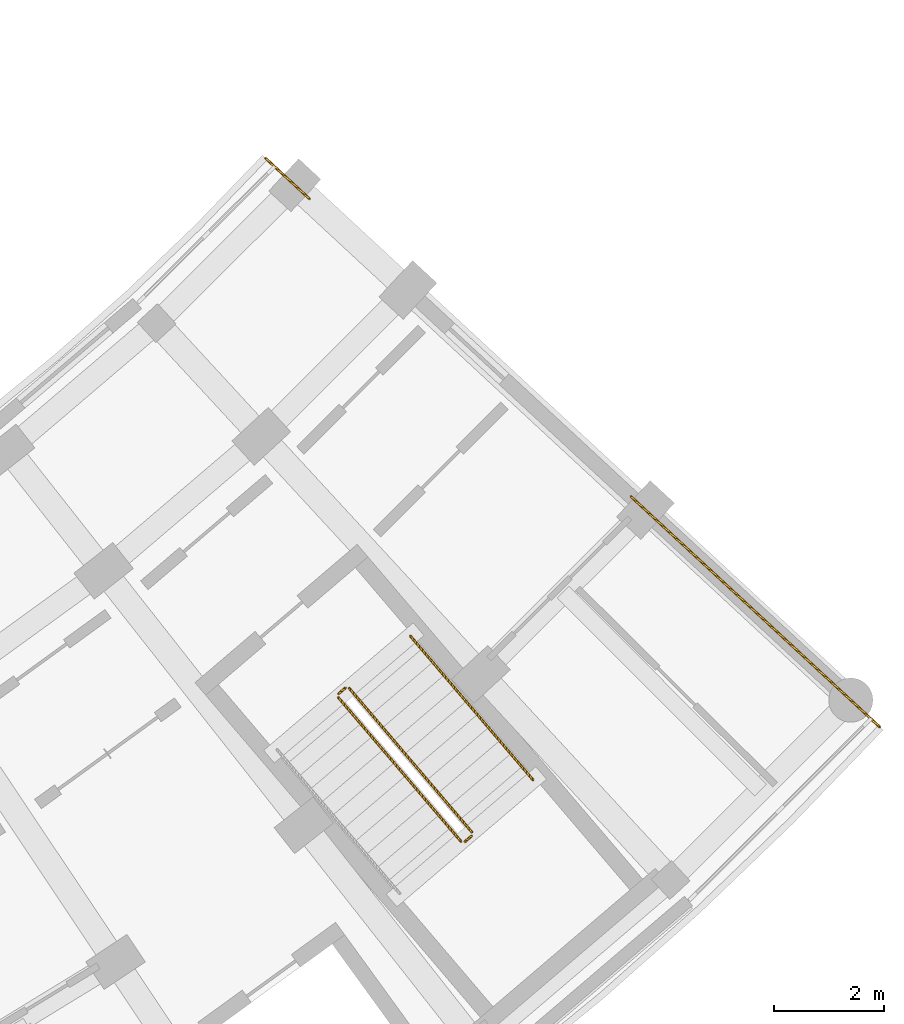
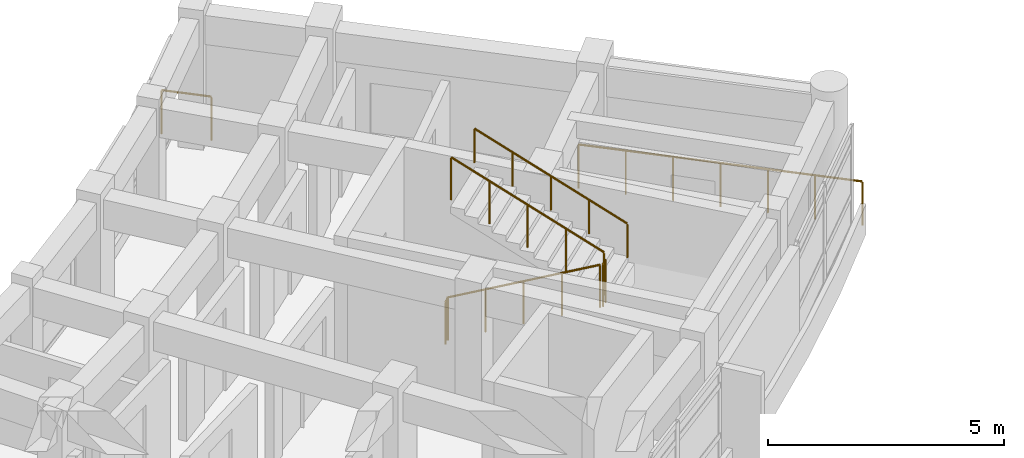
# One storey, part 83 of 83: 7 railings.
"""IFC4 building model written with IfcOpenShell, lengths in metres."""

from ifc_helpers import new_model, si_unit, direction, frame, origin, origin_2d, place, context, subcontext, project, spatial, circle, extrude, material, type_object, element, save


model = new_model("IFC4")

# Units and contexts
model_context = context("Model", 3, precision=1e-05, world=origin(), true_north=direction((0.0, 1.0)))
body_context = subcontext(model_context, "Body", "Model", "MODEL_VIEW")
ifc_project = project(units=[si_unit("LENGTHUNIT", "METRE"), si_unit("AREAUNIT", "SQUARE_METRE"), si_unit("VOLUMEUNIT", "CUBIC_METRE"), si_unit("PLANEANGLEUNIT", "RADIAN"), si_unit("MASSUNIT", "GRAM", prefix="KILO")], contexts=[model_context])

# Site, building, storey
site_placement = place(None, origin())
site = spatial("IfcSite", under=ifc_project, at=site_placement, CompositionType="ELEMENT")
building_placement = place(site_placement, origin())
building = spatial("IfcBuilding", under=site, at=building_placement, Name="Zimvara Arc Housing Community", CompositionType="ELEMENT")
storey_placement = place(building_placement, frame((0.0, 0.0, 4.5)))
storey = spatial("IfcBuildingStorey", under=building, at=storey_placement, Name="L01", CompositionType="ELEMENT", Elevation=4.5)

# Railings
ifc_material_1 = material(Name="Anodised Aluminium AW-6063", Category="aluminium")
railing_type_1 = type_object("IfcRailingType", Name="RLG-BAL-1120", PredefinedType="BALUSTRADE", material=ifc_material_1)
railing_1_placement = place(storey_placement, frame((159.87744140625, 69.900634765625, 0.14990234375)))
element("IfcRailing", 1, at=railing_1_placement, inside=storey, type_object=railing_type_1, Name="L01 ST-D2 stair guard 1", PredefinedType="BALUSTRADE", context=body_context, shape_type="SweptSolid", body=[
    extrude(circle(Radius=0.02392578125, at=origin_2d()), frame((0.0, 0.0, 1.09619140625), z_axis=(0.584706343608, -0.685811815523, 0.433336642154), x_axis=(0.760971332104, 0.648785505168, 0.0)), (0.0, 0.0, 1.0), 3.80810546875),
    extrude(circle(Radius=0.02099609375, at=origin_2d()), origin(), (0.0, 0.0, 1.0), 1.072021484375),
    extrude(circle(Radius=0.02099609375, at=origin_2d()), frame((0.556640625, -0.65283203125, 0.41259765625)), (0.0, 0.0, 1.0), 1.072021484375),
    extrude(circle(Radius=0.02099609375, at=origin_2d()), frame((1.11328125, -1.3056640625, 0.8251953125)), (0.0, 0.0, 1.0), 1.072021484375),
    extrude(circle(Radius=0.02099609375, at=origin_2d()), frame((1.669921875, -1.958740234375, 1.237548828125)), (0.0, 0.0, 1.0), 1.072021484375),
    extrude(circle(Radius=0.02099609375, at=origin_2d()), frame((2.2265625, -2.611572265625, 1.650146484375)), (0.0, 0.0, 1.0), 1.072021484375),
])
railing_2_placement = place(storey_placement, frame((162.174560546875, 67.283447265625, 1.800048828125)))
element("IfcRailing", 2, at=railing_2_placement, inside=storey, type_object=railing_type_1, Name="L01 ST-D2 stair guard 2", PredefinedType="BALUSTRADE", context=body_context, shape_type="SweptSolid", body=[
    extrude(circle(Radius=0.02392578125, at=origin_2d()), frame((0.0, 0.0, 1.09619140625), z_axis=(0.760656476318, 0.649154623364, 0.0), x_axis=(-0.649154623364, 0.760656476318, 0.0)), (0.0, 0.0, 1.0), 0.159912109375),
    extrude(circle(Radius=0.02099609375, at=origin_2d()), origin(), (0.0, 0.0, 1.0), 1.072021484375),
    extrude(circle(Radius=0.02099609375, at=origin_2d()), frame((0.12158203125, 0.103759765625, 0.0)), (0.0, 0.0, 1.0), 1.072021484375),
])
railing_3_placement = place(storey_placement, frame((162.3017578125, 67.457763671875, 1.949951171875)))
element("IfcRailing", 3, at=railing_3_placement, inside=storey, type_object=railing_type_1, Name="L01 ST-D2 stair guard 3", PredefinedType="BALUSTRADE", context=body_context, shape_type="SweptSolid", body=[
    extrude(circle(Radius=0.02392578125, at=origin_2d()), frame((0.0, 0.0, 1.09619140625), z_axis=(-0.584706343608, 0.685811815523, 0.433336642154), x_axis=(-0.760971332104, -0.648785505168, 0.0)), (0.0, 0.0, 1.0), 3.80810546875),
    extrude(circle(Radius=0.02099609375, at=origin_2d()), origin(), (0.0, 0.0, 1.0), 1.072021484375),
    extrude(circle(Radius=0.02099609375, at=origin_2d()), frame((-0.556640625, 0.65283203125, 0.41259765625)), (0.0, 0.0, 1.0), 1.072021484375),
    extrude(circle(Radius=0.02099609375, at=origin_2d()), frame((-1.11328125, 1.3056640625, 0.8251953125)), (0.0, 0.0, 1.0), 1.072021484375),
    extrude(circle(Radius=0.02099609375, at=origin_2d()), frame((-1.669921875, 1.958740234375, 1.237548828125)), (0.0, 0.0, 1.0), 1.072021484375),
    extrude(circle(Radius=0.02099609375, at=origin_2d()), frame((-2.2265625, 2.611572265625, 1.650146484375)), (0.0, 0.0, 1.0), 1.072021484375),
])
railing_4_placement = place(storey_placement, frame((159.883056640625, 69.97119140625, 0.0)))
element("IfcRailing", 4, at=railing_4_placement, inside=storey, type_object=railing_type_1, Name="L01 ST-D2 stair guard 4", PredefinedType="BALUSTRADE", context=body_context, shape_type="SweptSolid", body=[
    extrude(circle(Radius=0.02392578125, at=origin_2d()), frame((0.0, 0.0, 1.09619140625), z_axis=(0.760656476318, 0.649154623364, 0.0), x_axis=(-0.649154623364, 0.760656476318, 0.0)), (0.0, 0.0, 1.0), 0.159912109375),
    extrude(circle(Radius=0.02099609375, at=origin_2d()), origin(), (0.0, 0.0, 1.0), 1.072021484375),
    extrude(circle(Radius=0.02099609375, at=origin_2d()), frame((0.12158203125, 0.103759765625, 0.0)), (0.0, 0.0, 1.0), 1.072021484375),
])
ifc_material_2 = material(Name="Anodised Aluminium AW-6063", Category="aluminium")
railing_type_2 = type_object("IfcRailingType", Name="RLG-BAL-1150", PredefinedType="BALUSTRADE", material=ifc_material_2)
railing_5_placement = place(storey_placement, frame((158.5576171875, 79.69287109375, 0.0)))
element("IfcRailing", 5, at=railing_5_placement, inside=storey, type_object=railing_type_2, Name="rlg:blkD:L01:gable_in:gN", PredefinedType="BALUSTRADE", context=body_context, shape_type="SweptSolid", body=[
    extrude(circle(Radius=0.02392578125, at=origin_2d()), frame((0.0, 0.0, 1.1259765625), z_axis=(0.733710590348, -0.679462117864, 0.0), x_axis=(0.679462117864, 0.733710590348, 0.0)), (0.0, 0.0, 1.0), 1.080078125),
    extrude(circle(Radius=0.02099609375, at=origin_2d()), origin(), (0.0, 0.0, 1.0), 1.101806640625),
    extrude(circle(Radius=0.02099609375, at=origin_2d()), frame((0.79248046875, -0.73388671875, 0.0)), (0.0, 0.0, 1.0), 1.101806640625),
])
railing_6_placement = place(storey_placement, frame((165.1904296875, 73.550537109375, 0.0)))
element("IfcRailing", 6, at=railing_6_placement, inside=storey, type_object=railing_type_2, Name="rlg:blkD:L01:gable_out:gN", PredefinedType="BALUSTRADE", context=body_context, shape_type="SweptSolid", body=[
    extrude(circle(Radius=0.02392578125, at=origin_2d()), frame((0.0, 0.0, 1.1259765625), z_axis=(0.733734329214, -0.67943648278, 0.0), x_axis=(0.67943648278, 0.733734329214, 0.0)), (0.0, 0.0, 1.0), 6.159912109375),
    extrude(circle(Radius=0.02099609375, at=origin_2d()), origin(), (0.0, 0.0, 1.0), 1.101806640625),
    extrude(circle(Radius=0.02099609375, at=origin_2d()), frame((0.75341796875, -0.697509765625, 0.0)), (0.0, 0.0, 1.0), 1.101806640625),
    extrude(circle(Radius=0.02099609375, at=origin_2d()), frame((1.506591796875, -1.39501953125, 0.0)), (0.0, 0.0, 1.0), 1.101806640625),
    extrude(circle(Radius=0.02099609375, at=origin_2d()), frame((2.259765625, -2.0927734375, 0.0)), (0.0, 0.0, 1.0), 1.101806640625),
    extrude(circle(Radius=0.02099609375, at=origin_2d()), frame((3.01318359375, -2.790283203125, 0.0)), (0.0, 0.0, 1.0), 1.101806640625),
    extrude(circle(Radius=0.02099609375, at=origin_2d()), frame((3.7666015625, -3.48779296875, 0.0)), (0.0, 0.0, 1.0), 1.101806640625),
    extrude(circle(Radius=0.02099609375, at=origin_2d()), frame((4.519775390625, -4.185302734375, 0.0)), (0.0, 0.0, 1.0), 1.101806640625),
])
ifc_material_3 = material(Name="Anodised Aluminium AW-6063", Category="aluminium")
railing_type_3 = type_object("IfcRailingType", Name="RLG-HND-900", PredefinedType="HANDRAIL", material=ifc_material_3)
railing_7_placement = place(storey_placement, frame((163.412841796875, 68.405029296875, 1.949951171875)))
element("IfcRailing", 7, at=railing_7_placement, inside=storey, type_object=railing_type_3, Name="L01 ST-D2 stair handrail 2", PredefinedType="HANDRAIL", context=body_context, shape_type="SweptSolid", body=[
    extrude(circle(Radius=0.02392578125, at=origin_2d()), frame((0.0, 0.0, 0.8759765625), z_axis=(-0.584706343608, 0.685811815523, 0.433336642154), x_axis=(-0.760971332104, -0.648785505168, 0.0)), (0.0, 0.0, 1.0), 3.80810546875),
    extrude(circle(Radius=0.02099609375, at=origin_2d()), origin(), (0.0, 0.0, 1.0), 0.851806640625),
    extrude(circle(Radius=0.02099609375, at=origin_2d()), frame((-0.556640625, 0.65283203125, 0.41259765625)), (0.0, 0.0, 1.0), 0.851806640625),
    extrude(circle(Radius=0.02099609375, at=origin_2d()), frame((-1.11328125, 1.3056640625, 0.8251953125)), (0.0, 0.0, 1.0), 0.851806640625),
    extrude(circle(Radius=0.02099609375, at=origin_2d()), frame((-1.669921875, 1.958740234375, 1.237548828125)), (0.0, 0.0, 1.0), 0.851806640625),
    extrude(circle(Radius=0.02099609375, at=origin_2d()), frame((-2.2265625, 2.611572265625, 1.650146484375)), (0.0, 0.0, 1.0), 0.851806640625),
])

save(model, "model.ifc")
